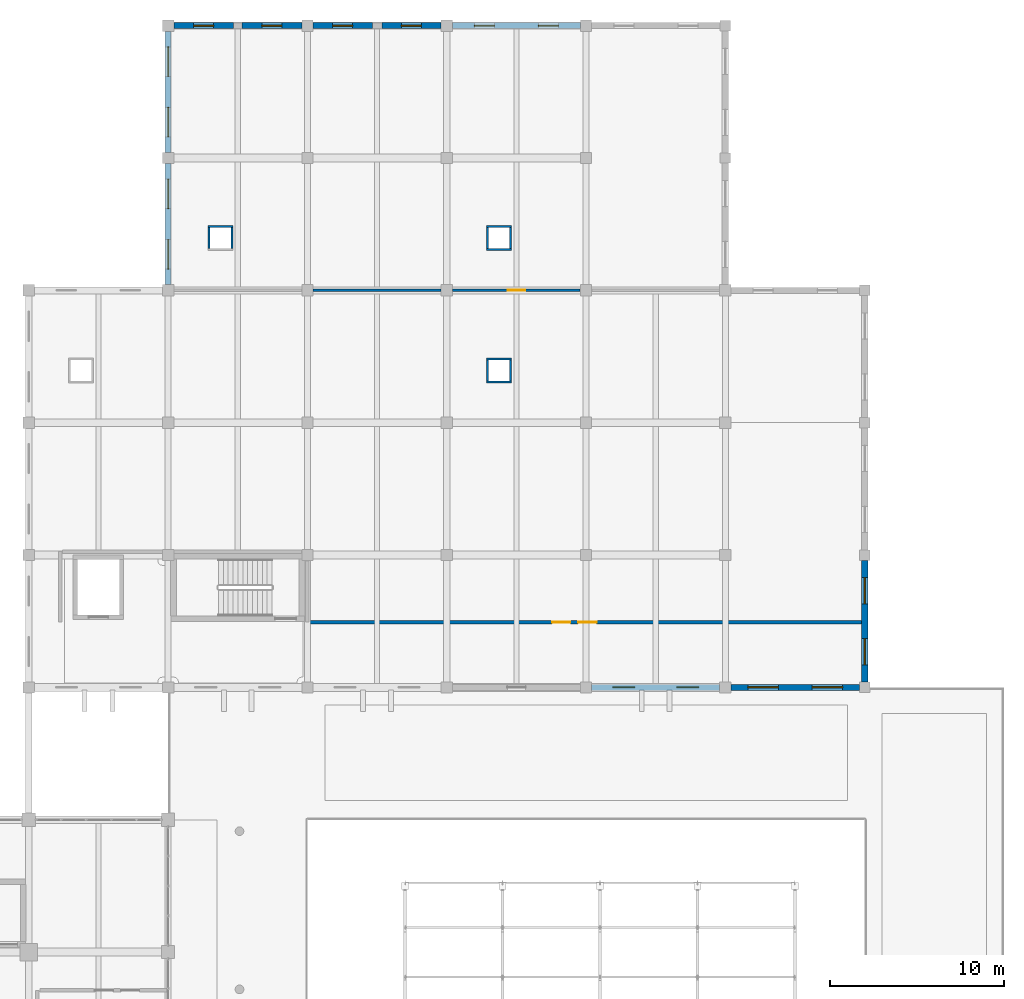
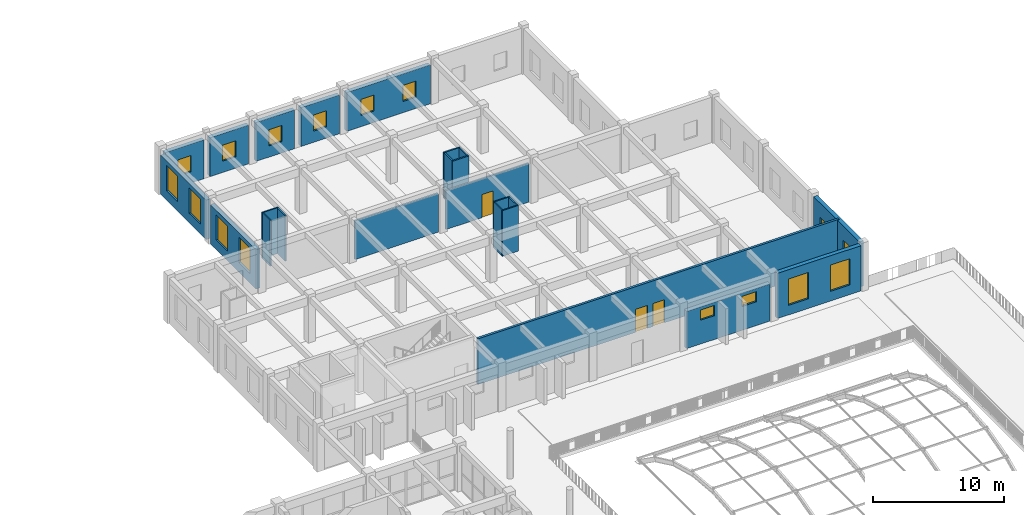
# One storey, part 61 of 79: 24 walls, 16 windows, 3 doors, 19 openings.
"""IFC4 building model written with IfcOpenShell, lengths in metres."""

from ifc_helpers import new_model, si_unit, direction, frame, frame_2d, origin, place, context, subcontext, project, spatial, rectangle, extrude, material, layer, layer_set, type_object, element, fill, save


model = new_model("IFC4")

# Units and contexts
model_context = context("Model", 3, precision=1e-05, world=origin(), true_north=direction((0.0, 1.0)))
body_context = subcontext(model_context, "Body", "Model", "MODEL_VIEW")
ifc_project = project(units=[si_unit("LENGTHUNIT", "METRE"), si_unit("AREAUNIT", "SQUARE_METRE"), si_unit("VOLUMEUNIT", "CUBIC_METRE"), si_unit("PLANEANGLEUNIT", "RADIAN"), si_unit("MASSUNIT", "GRAM", prefix="KILO")], contexts=[model_context])

# Site, building, storey
site_placement = place(None, origin())
site = spatial("IfcSite", under=ifc_project, at=site_placement, CompositionType="ELEMENT")
building_placement = place(site_placement, origin())
building = spatial("IfcBuilding", under=site, at=building_placement, Name="Zantavel Square City Hall", CompositionType="ELEMENT")
storey_placement = place(building_placement, frame((0.0, 0.0, 10.199951171875)))
storey = spatial("IfcBuildingStorey", under=building, at=storey_placement, Name="L03", CompositionType="ELEMENT", Elevation=10.199951171875)

# Wall, openings, windows
ifc_material_1 = material(Name="Cantera volcanic tuff stone", Category="masonry")
ifc_layer_1 = layer(ifc_material_1, 0.360107421875, Name="Cantera volcanic tuff stone")
ifc_layer_set_1 = layer_set([ifc_layer_1], Name="Cantera volcanic tuff stone")
wall_type_1 = type_object("IfcWallType", Name="Courtyard Cantera Facade Wall 360mm", PredefinedType="STANDARD", material=ifc_layer_set_1)
wall_1_placement = place(storey_placement, frame((112.0, 99.125, 0.0), z_axis=(0.0, 0.0, 1.0), x_axis=(0.0, 1.0, 0.0)))
wall_1 = element("IfcWall", 1, at=wall_1_placement, inside=storey, type_object=wall_type_1, Name="L03 Exterior Wall EW-L03-083", PredefinedType="STANDARD", context=body_context, shape_type="SweptSolid", body=[
    extrude(rectangle(XDim=6.949951171875, YDim=0.360107421875, at=frame_2d((3.47509765625, 0.0))), origin(), (0.0, 0.0, 1.0), 3.670166015625),
])
opening_1_placement = place(wall_1_placement, frame((0.887451171875, 0.0, 0.89990234375)))
opening_1 = element("IfcOpeningElement", 2, at=opening_1_placement, cuts=wall_1, Name="Opening W-386", PredefinedType="OPENING", context=body_context, shape_type="SweptSolid", body=[
    extrude(rectangle(XDim=1.699951171875, YDim=2.35009765625, at=frame_2d((0.85009765625, 1.175048828125))), frame((0.0, 0.18994140625, 0.0), z_axis=(0.0, -1.0, 0.0), x_axis=(1.0, 0.0, 0.0)), (0.0, 0.0, 1.0), 0.380126953125),
])
opening_2_placement = place(wall_1_placement, frame((4.362548828125, 0.0, 0.89990234375)))
opening_2 = element("IfcOpeningElement", 3, at=opening_2_placement, cuts=wall_1, Name="Opening W-387", PredefinedType="OPENING", context=body_context, shape_type="SweptSolid", body=[
    extrude(rectangle(XDim=1.699951171875, YDim=2.35009765625, at=frame_2d((0.85009765625, 1.175048828125))), frame((0.0, 0.18994140625, 0.0), z_axis=(0.0, -1.0, 0.0), x_axis=(1.0, 0.0, 0.0)), (0.0, 0.0, 1.0), 0.380126953125),
])
ifc_material_2 = material(Name="Tempered safety glass low-E double glazing", Category="glass")
window_type_1 = type_object("IfcWindowType", Name="Window Library Reading Tall 1700x2350", PartitioningType="DOUBLE_PANEL_VERTICAL", PredefinedType="WINDOW", material=ifc_material_2)
window_1_placement = place(opening_1_placement, origin())
window_1 = element("IfcWindow", 4, at=window_1_placement, inside=storey, type_object=window_type_1, Name="L03 Window W-386", OverallHeight=2.35009765625, OverallWidth=1.699951171875, PartitioningType="DOUBLE_PANEL_VERTICAL", PredefinedType="WINDOW", context=body_context, shape_type="SweptSolid", body=[
    extrude(rectangle(XDim=1.699951171875, YDim=2.35009765625, at=frame_2d((0.85009765625, 1.175048828125))), frame((0.0, 0.030029296875, 0.0), z_axis=(0.0, -1.0, 0.0), x_axis=(1.0, 0.0, 0.0)), (0.0, 0.0, 1.0), 0.06005859375),
])
fill(opening_1, window_1)
window_2_placement = place(opening_2_placement, origin())
window_2 = element("IfcWindow", 5, at=window_2_placement, inside=storey, type_object=window_type_1, Name="L03 Window W-387", OverallHeight=2.35009765625, OverallWidth=1.699951171875, PartitioningType="DOUBLE_PANEL_VERTICAL", PredefinedType="WINDOW", context=body_context, shape_type="SweptSolid", body=[
    extrude(rectangle(XDim=1.699951171875, YDim=2.35009765625, at=frame_2d((0.85009765625, 1.175048828125))), frame((0.0, 0.030029296875, 0.0), z_axis=(0.0, -1.0, 0.0), x_axis=(1.0, 0.0, 0.0)), (0.0, 0.0, 1.0), 0.06005859375),
])
fill(opening_2, window_2)

wall_2_placement = place(storey_placement, frame((112.0, 106.72509765625, 0.0), z_axis=(0.0, 0.0, 1.0), x_axis=(0.0, 1.0, 0.0)))
wall_2 = element("IfcWall", 6, at=wall_2_placement, inside=storey, type_object=wall_type_1, Name="L03 Exterior Wall EW-L03-084", PredefinedType="STANDARD", context=body_context, shape_type="SweptSolid", body=[
    extrude(rectangle(XDim=6.949951171875, YDim=0.360107421875, at=frame_2d((3.47509765625, 0.0))), origin(), (0.0, 0.0, 1.0), 3.670166015625),
])
opening_3_placement = place(wall_2_placement, frame((0.887451171875, 0.0, 0.89990234375)))
opening_3 = element("IfcOpeningElement", 7, at=opening_3_placement, cuts=wall_2, Name="Opening W-388", PredefinedType="OPENING", context=body_context, shape_type="SweptSolid", body=[
    extrude(rectangle(XDim=1.699951171875, YDim=2.35009765625, at=frame_2d((0.85009765625, 1.175048828125))), frame((0.0, 0.18994140625, 0.0), z_axis=(0.0, -1.0, 0.0), x_axis=(1.0, 0.0, 0.0)), (0.0, 0.0, 1.0), 0.380126953125),
])
opening_4_placement = place(wall_2_placement, frame((4.362548828125, 0.0, 0.89990234375)))
opening_4 = element("IfcOpeningElement", 8, at=opening_4_placement, cuts=wall_2, Name="Opening W-389", PredefinedType="OPENING", context=body_context, shape_type="SweptSolid", body=[
    extrude(rectangle(XDim=1.699951171875, YDim=2.35009765625, at=frame_2d((0.85009765625, 1.175048828125))), frame((0.0, 0.18994140625, 0.0), z_axis=(0.0, -1.0, 0.0), x_axis=(1.0, 0.0, 0.0)), (0.0, 0.0, 1.0), 0.380126953125),
])
window_3_placement = place(opening_3_placement, origin())
window_3 = element("IfcWindow", 9, at=window_3_placement, inside=storey, type_object=window_type_1, Name="L03 Window W-388", OverallHeight=2.35009765625, OverallWidth=1.699951171875, PartitioningType="DOUBLE_PANEL_VERTICAL", PredefinedType="WINDOW", context=body_context, shape_type="SweptSolid", body=[
    extrude(rectangle(XDim=1.699951171875, YDim=2.35009765625, at=frame_2d((0.85009765625, 1.175048828125))), frame((0.0, 0.030029296875, 0.0), z_axis=(0.0, -1.0, 0.0), x_axis=(1.0, 0.0, 0.0)), (0.0, 0.0, 1.0), 0.06005859375),
])
fill(opening_3, window_3)
window_4_placement = place(opening_4_placement, origin())
window_4 = element("IfcWindow", 10, at=window_4_placement, inside=storey, type_object=window_type_1, Name="L03 Window W-389", OverallHeight=2.35009765625, OverallWidth=1.699951171875, PartitioningType="DOUBLE_PANEL_VERTICAL", PredefinedType="WINDOW", context=body_context, shape_type="SweptSolid", body=[
    extrude(rectangle(XDim=1.699951171875, YDim=2.35009765625, at=frame_2d((0.85009765625, 1.175048828125))), frame((0.0, 0.030029296875, 0.0), z_axis=(0.0, -1.0, 0.0), x_axis=(1.0, 0.0, 0.0)), (0.0, 0.0, 1.0), 0.06005859375),
])
fill(opening_4, window_4)

wall_3_placement = place(storey_placement, frame((152.0, 83.300048828125, 0.0), z_axis=(0.0, 0.0, 1.0), x_axis=(0.0, -1.0, 0.0)))
wall_3 = element("IfcWall", 11, at=wall_3_placement, inside=storey, type_object=wall_type_1, Name="L03 Exterior Wall EW-L03-096", PredefinedType="STANDARD", context=body_context, shape_type="SweptSolid", body=[
    extrude(rectangle(XDim=7.0, YDim=0.360107421875, at=frame_2d((3.5, 0.0))), origin(), (0.0, 0.0, 1.0), 4.219970703125),
])
opening_5_placement = place(wall_3_placement, frame((1.0, 0.0, 0.89990234375)))
opening_5 = element("IfcOpeningElement", 12, at=opening_5_placement, cuts=wall_3, Name="Opening W-408", PredefinedType="OPENING", context=body_context, shape_type="SweptSolid", body=[
    extrude(rectangle(XDim=1.5, YDim=2.0, at=frame_2d((0.75, 1.0))), frame((0.0, 0.18994140625, 0.0), z_axis=(0.0, -1.0, 0.0), x_axis=(1.0, 0.0, 0.0)), (0.0, 0.0, 1.0), 0.380126953125),
])
opening_6_placement = place(wall_3_placement, frame((4.5, 0.0, 0.89990234375)))
opening_6 = element("IfcOpeningElement", 13, at=opening_6_placement, cuts=wall_3, Name="Opening W-409", PredefinedType="OPENING", context=body_context, shape_type="SweptSolid", body=[
    extrude(rectangle(XDim=1.5, YDim=2.0, at=frame_2d((0.75, 1.0))), frame((0.0, 0.18994140625, 0.0), z_axis=(0.0, -1.0, 0.0), x_axis=(1.0, 0.0, 0.0)), (0.0, 0.0, 1.0), 0.380126953125),
])
window_type_2 = type_object("IfcWindowType", Name="Window Planning Studio 1500x2000", PartitioningType="DOUBLE_PANEL_VERTICAL", PredefinedType="WINDOW", material=ifc_material_2)
window_5_placement = place(opening_5_placement, origin())
window_5 = element("IfcWindow", 14, at=window_5_placement, inside=storey, type_object=window_type_2, Name="L03 Window W-408", OverallHeight=2.0, OverallWidth=1.5, PartitioningType="DOUBLE_PANEL_VERTICAL", PredefinedType="WINDOW", context=body_context, shape_type="SweptSolid", body=[
    extrude(rectangle(XDim=1.5, YDim=2.0, at=frame_2d((0.75, 1.0))), frame((0.0, 0.030029296875, 0.0), z_axis=(0.0, -1.0, 0.0), x_axis=(1.0, 0.0, 0.0)), (0.0, 0.0, 1.0), 0.06005859375),
])
fill(opening_5, window_5)
window_6_placement = place(opening_6_placement, origin())
window_6 = element("IfcWindow", 15, at=window_6_placement, inside=storey, type_object=window_type_2, Name="L03 Window W-409", OverallHeight=2.0, OverallWidth=1.5, PartitioningType="DOUBLE_PANEL_VERTICAL", PredefinedType="WINDOW", context=body_context, shape_type="SweptSolid", body=[
    extrude(rectangle(XDim=1.5, YDim=2.0, at=frame_2d((0.75, 1.0))), frame((0.0, 0.030029296875, 0.0), z_axis=(0.0, -1.0, 0.0), x_axis=(1.0, 0.0, 0.0)), (0.0, 0.0, 1.0), 0.06005859375),
])
fill(opening_6, window_6)

wall_4_placement = place(storey_placement, frame((151.699951171875, 76.0, 0.0), z_axis=(0.0, 0.0, 1.0), x_axis=(-1.0, 0.0, 0.0)))
wall_4 = element("IfcWall", 16, at=wall_4_placement, inside=storey, type_object=wall_type_1, Name="L03 Exterior Wall EW-L03-097", PredefinedType="STANDARD", context=body_context, shape_type="SweptSolid", body=[
    extrude(rectangle(XDim=7.375, YDim=0.360107421875, at=frame_2d((3.6875, 0.0))), origin(), (0.0, 0.0, 1.0), 4.219970703125),
])
opening_7_placement = place(wall_4_placement, frame((0.96875, 0.0, 0.89990234375)))
opening_7 = element("IfcOpeningElement", 17, at=opening_7_placement, cuts=wall_4, Name="Opening W-410", PredefinedType="OPENING", context=body_context, shape_type="SweptSolid", body=[
    extrude(rectangle(XDim=1.75, YDim=2.449951171875, at=frame_2d((0.875, 1.22509765625))), frame((0.0, 0.18994140625, 0.0), z_axis=(0.0, -1.0, 0.0), x_axis=(1.0, 0.0, 0.0)), (0.0, 0.0, 1.0), 0.380126953125),
])
opening_8_placement = place(wall_4_placement, frame((4.65625, 0.0, 0.89990234375)))
opening_8 = element("IfcOpeningElement", 18, at=opening_8_placement, cuts=wall_4, Name="Opening W-411", PredefinedType="OPENING", context=body_context, shape_type="SweptSolid", body=[
    extrude(rectangle(XDim=1.75, YDim=2.449951171875, at=frame_2d((0.875, 1.22509765625))), frame((0.0, 0.18994140625, 0.0), z_axis=(0.0, -1.0, 0.0), x_axis=(1.0, 0.0, 0.0)), (0.0, 0.0, 1.0), 0.380126953125),
])
window_type_3 = type_object("IfcWindowType", Name="Window Piano Nobile Pediment 1750x2450", PartitioningType="DOUBLE_PANEL_VERTICAL", PredefinedType="WINDOW", material=ifc_material_2)
window_7_placement = place(opening_7_placement, origin())
window_7 = element("IfcWindow", 19, at=window_7_placement, inside=storey, type_object=window_type_3, Name="L03 Window W-410", OverallHeight=2.449951171875, OverallWidth=1.75, PartitioningType="DOUBLE_PANEL_VERTICAL", PredefinedType="WINDOW", context=body_context, shape_type="SweptSolid", body=[
    extrude(rectangle(XDim=1.75, YDim=2.449951171875, at=frame_2d((0.875, 1.22509765625))), frame((0.0, 0.030029296875, 0.0), z_axis=(0.0, -1.0, 0.0), x_axis=(1.0, 0.0, 0.0)), (0.0, 0.0, 1.0), 0.06005859375),
])
fill(opening_7, window_7)
window_8_placement = place(opening_8_placement, origin())
window_8 = element("IfcWindow", 20, at=window_8_placement, inside=storey, type_object=window_type_3, Name="L03 Window W-411", OverallHeight=2.449951171875, OverallWidth=1.75, PartitioningType="DOUBLE_PANEL_VERTICAL", PredefinedType="WINDOW", context=body_context, shape_type="SweptSolid", body=[
    extrude(rectangle(XDim=1.75, YDim=2.449951171875, at=frame_2d((0.875, 1.22509765625))), frame((0.0, 0.030029296875, 0.0), z_axis=(0.0, -1.0, 0.0), x_axis=(1.0, 0.0, 0.0)), (0.0, 0.0, 1.0), 0.06005859375),
])
fill(opening_8, window_8)

wall_5_placement = place(storey_placement, frame((143.675048828125, 76.0, 0.0), z_axis=(0.0, 0.0, 1.0), x_axis=(-1.0, 0.0, 0.0)))
wall_5 = element("IfcWall", 21, at=wall_5_placement, inside=storey, type_object=wall_type_1, Name="L03 Exterior Wall EW-L03-098", PredefinedType="STANDARD", context=body_context, shape_type="SweptSolid", body=[
    extrude(rectangle(XDim=7.35009765625, YDim=0.360107421875, at=frame_2d((3.675048828125, 0.0))), origin(), (0.0, 0.0, 1.0), 3.469970703125),
])
opening_9_placement = place(wall_5_placement, frame((1.21240234375, 0.0, 2.219970703125)))
opening_9 = element("IfcOpeningElement", 22, at=opening_9_placement, cuts=wall_5, Name="Opening W-412", PredefinedType="OPENING", context=body_context, shape_type="SweptSolid", body=[
    extrude(rectangle(XDim=1.25, YDim=0.949951171875, at=frame_2d((0.625, 0.47509765625))), frame((0.0, 0.18994140625, 0.0), z_axis=(0.0, -1.0, 0.0), x_axis=(1.0, 0.0, 0.0)), (0.0, 0.0, 1.0), 0.380126953125),
])
opening_10_placement = place(wall_5_placement, frame((4.887451171875, 0.0, 2.219970703125)))
opening_10 = element("IfcOpeningElement", 23, at=opening_10_placement, cuts=wall_5, Name="Opening W-413", PredefinedType="OPENING", context=body_context, shape_type="SweptSolid", body=[
    extrude(rectangle(XDim=1.25, YDim=0.949951171875, at=frame_2d((0.625, 0.47509765625))), frame((0.0, 0.18994140625, 0.0), z_axis=(0.0, -1.0, 0.0), x_axis=(1.0, 0.0, 0.0)), (0.0, 0.0, 1.0), 0.380126953125),
])
window_type_4 = type_object("IfcWindowType", Name="Window Archive High Clerestory 1250x950", PartitioningType="SINGLE_PANEL", PredefinedType="WINDOW", material=ifc_material_2)
window_9_placement = place(opening_9_placement, origin())
window_9 = element("IfcWindow", 24, at=window_9_placement, inside=storey, type_object=window_type_4, Name="L03 Window W-412", OverallHeight=0.949951171875, OverallWidth=1.25, PartitioningType="SINGLE_PANEL", PredefinedType="WINDOW", context=body_context, shape_type="SweptSolid", body=[
    extrude(rectangle(XDim=1.25, YDim=0.949951171875, at=frame_2d((0.625, 0.47509765625))), frame((0.0, 0.030029296875, 0.0), z_axis=(0.0, -1.0, 0.0), x_axis=(1.0, 0.0, 0.0)), (0.0, 0.0, 1.0), 0.06005859375),
])
fill(opening_9, window_9)
window_10_placement = place(opening_10_placement, origin())
window_10 = element("IfcWindow", 25, at=window_10_placement, inside=storey, type_object=window_type_4, Name="L03 Window W-413", OverallHeight=0.949951171875, OverallWidth=1.25, PartitioningType="SINGLE_PANEL", PredefinedType="WINDOW", context=body_context, shape_type="SweptSolid", body=[
    extrude(rectangle(XDim=1.25, YDim=0.949951171875, at=frame_2d((0.625, 0.47509765625))), frame((0.0, 0.030029296875, 0.0), z_axis=(0.0, -1.0, 0.0), x_axis=(1.0, 0.0, 0.0)), (0.0, 0.0, 1.0), 0.06005859375),
])
fill(opening_10, window_10)

# Wall
ifc_material_3 = material(Name="Gypsum acoustic stud assembly", Category="masonry")
ifc_layer_2 = layer(ifc_material_3, 0.14990234375, Name="Gypsum acoustic stud assembly")
ifc_layer_set_2 = layer_set([ifc_layer_2], Name="Gypsum acoustic stud assembly")
wall_type_2 = type_object("IfcWallType", Name="Department Office Partition 150mm", PredefinedType="PARTITIONING", material=ifc_layer_set_2)
wall_6_placement = place(storey_placement, frame((120.3349609375, 98.800048828125, 0.0), z_axis=(0.0, 0.0, 1.0), x_axis=(1.0, 0.0, 0.0)))
element("IfcWall", 26, at=wall_6_placement, inside=storey, type_object=wall_type_2, Name="L03 Interior Wall IW-L03-0280", PredefinedType="PARTITIONING", context=body_context, shape_type="SweptSolid", body=[
    extrude(rectangle(XDim=7.330078125, YDim=0.14990234375, at=frame_2d((3.6650390625, 0.0))), origin(), (0.0, 0.0, 1.0), 3.6201171875),
])

# Wall, opening, door
wall_7_placement = place(storey_placement, frame((128.3349609375, 98.800048828125, 0.0), z_axis=(0.0, 0.0, 1.0), x_axis=(1.0, 0.0, 0.0)))
wall_7 = element("IfcWall", 27, at=wall_7_placement, inside=storey, type_object=wall_type_2, Name="L03 Interior Wall IW-L03-0281", PredefinedType="PARTITIONING", context=body_context, shape_type="SweptSolid", body=[
    extrude(rectangle(XDim=7.330078125, YDim=0.14990234375, at=frame_2d((3.6650390625, 0.0))), origin(), (0.0, 0.0, 1.0), 3.6201171875),
])
opening_11_placement = place(wall_7_placement, frame((3.1650390625, 0.0, 0.0)))
opening_11 = element("IfcOpeningElement", 28, at=opening_11_placement, cuts=wall_7, Name="Opening D-0141", PredefinedType="OPENING", context=body_context, shape_type="SweptSolid", body=[
    extrude(rectangle(XDim=1.0, YDim=2.14990234375, at=frame_2d((0.5, 1.074951171875))), frame((0.0, 0.0849609375, 0.0), z_axis=(0.0, -1.0, 0.0), x_axis=(1.0, 0.0, 0.0)), (0.0, 0.0, 1.0), 0.169921875),
])
ifc_material_4 = material(Name="Solid oak hardwood", Category="wood")
door_type_1 = type_object("IfcDoorType", Name="Suite Internal Oak Single Door 1000x2150", OperationType="NOTDEFINED", PredefinedType="DOOR", material=ifc_material_4)
door_1_placement = place(opening_11_placement, origin())
door_1 = element("IfcDoor", 29, at=door_1_placement, inside=storey, type_object=door_type_1, Name="L03 Public Works Engineering Office Door", OperationType="SINGLE_SWING_LEFT", OverallHeight=2.14990234375, OverallWidth=1.0, PredefinedType="DOOR", context=body_context, shape_type="SweptSolid", body=[
    extrude(rectangle(XDim=1.0, YDim=2.14990234375, at=frame_2d((0.5, 1.074951171875))), frame((0.0, 0.02490234375, 0.0), z_axis=(0.0, -1.0, 0.0), x_axis=(1.0, 0.0, 0.0)), (0.0, 0.0, 1.0), 0.050048828125),
])
fill(opening_11, door_1)

# Wall, openings, doors
ifc_layer_3 = layer(ifc_material_1, 0.199951171875, Name="Cantera volcanic tuff stone")
ifc_layer_set_3 = layer_set([ifc_layer_3], Name="Cantera volcanic tuff stone")
wall_type_3 = type_object("IfcWallType", Name="Exit Corridor Rated Wall 200mm", PredefinedType="STANDARD", material=ifc_layer_set_3)
wall_8_placement = place(storey_placement, frame((152.0, 79.75, 0.0), z_axis=(0.0, 0.0, 1.0), x_axis=(-1.0, 0.0, 0.0)))
wall_8 = element("IfcWall", 30, at=wall_8_placement, inside=storey, type_object=wall_type_3, Name="L03 Interior Wall IW-L03-0283", PredefinedType="STANDARD", context=body_context, shape_type="SweptSolid", body=[
    extrude(rectangle(XDim=31.85009765625, YDim=0.199951171875, at=frame_2d((15.925048828125, 0.0))), origin(), (0.0, 0.0, 1.0), 4.260009765625),
])
opening_12_placement = place(wall_8_placement, frame((15.39990234375, 0.0, 0.0)))
opening_12 = element("IfcOpeningElement", 31, at=opening_12_placement, cuts=wall_8, Name="Opening D-0128", PredefinedType="OPENING", context=body_context, shape_type="SweptSolid", body=[
    extrude(rectangle(XDim=1.050048828125, YDim=2.14990234375, at=frame_2d((0.52490234375, 1.074951171875))), frame((0.0, 0.10986328125, 0.0), z_axis=(0.0, -1.0, 0.0), x_axis=(1.0, 0.0, 0.0)), (0.0, 0.0, 1.0), 0.219970703125),
])
opening_13_placement = place(wall_8_placement, frame((16.89990234375, 0.0, 0.0)))
opening_13 = element("IfcOpeningElement", 32, at=opening_13_placement, cuts=wall_8, Name="Opening D-0142", PredefinedType="OPENING", context=body_context, shape_type="SweptSolid", body=[
    extrude(rectangle(XDim=1.050048828125, YDim=2.14990234375, at=frame_2d((0.52490234375, 1.074951171875))), frame((0.0, 0.10986328125, 0.0), z_axis=(0.0, -1.0, 0.0), x_axis=(1.0, 0.0, 0.0)), (0.0, 0.0, 1.0), 0.219970703125),
])
door_type_2 = type_object("IfcDoorType", Name="Corridor Office Oak Fire Door 1050x2150 FD60S", OperationType="NOTDEFINED", PredefinedType="DOOR", material=ifc_material_4)
door_2_placement = place(opening_12_placement, origin())
door_2 = element("IfcDoor", 33, at=door_2_placement, inside=storey, type_object=door_type_2, Name="L03 Urban Planning Studio Door", OperationType="SINGLE_SWING_RIGHT", OverallHeight=2.14990234375, OverallWidth=1.050048828125, PredefinedType="DOOR", context=body_context, shape_type="SweptSolid", body=[
    extrude(rectangle(XDim=1.050048828125, YDim=2.14990234375, at=frame_2d((0.52490234375, 1.074951171875))), frame((0.0, 0.02490234375, 0.0), z_axis=(0.0, -1.0, 0.0), x_axis=(1.0, 0.0, 0.0)), (0.0, 0.0, 1.0), 0.050048828125),
])
fill(opening_12, door_2)
door_3_placement = place(opening_13_placement, origin())
door_3 = element("IfcDoor", 34, at=door_3_placement, inside=storey, type_object=door_type_2, Name="L03 Urban Planning Studio Door", OperationType="SINGLE_SWING_RIGHT", OverallHeight=2.14990234375, OverallWidth=1.050048828125, PredefinedType="DOOR", context=body_context, shape_type="SweptSolid", body=[
    extrude(rectangle(XDim=1.050048828125, YDim=2.14990234375, at=frame_2d((0.52490234375, 1.074951171875))), frame((0.0, 0.02490234375, 0.0), z_axis=(0.0, -1.0, 0.0), x_axis=(1.0, 0.0, 0.0)), (0.0, 0.0, 1.0), 0.050048828125),
])
fill(opening_13, door_3)

# Wall, opening, window
ifc_layer_4 = layer(ifc_material_1, 0.340087890625, Name="Cantera volcanic tuff stone")
ifc_layer_set_4 = layer_set([ifc_layer_4], Name="Cantera volcanic tuff stone")
wall_type_4 = type_object("IfcWallType", Name="North Insulated Cantera Wall 340mm", PredefinedType="STANDARD", material=ifc_layer_set_4)
wall_9_placement = place(storey_placement, frame((112.324951171875, 114.0, 0.0), z_axis=(0.0, 0.0, 1.0), x_axis=(1.0, 0.0, 0.0)))
wall_9 = element("IfcWall", 35, at=wall_9_placement, inside=storey, type_object=wall_type_4, Name="L03 Exterior Wall EW-L03-085", PredefinedType="STANDARD", context=body_context, shape_type="SweptSolid", body=[
    extrude(rectangle(XDim=3.425048828125, YDim=0.340087890625, at=frame_2d((1.71240234375, 0.0))), origin(), (0.0, 0.0, 1.0), 3.6201171875),
])
opening_14_placement = place(wall_9_placement, frame((1.137451171875, 0.0, 1.050048828125)))
opening_14 = element("IfcOpeningElement", 36, at=opening_14_placement, cuts=wall_9, Name="Opening W-390", PredefinedType="OPENING", context=body_context, shape_type="SweptSolid", body=[
    extrude(rectangle(XDim=1.14990234375, YDim=1.5, at=frame_2d((0.574951171875, 0.75))), frame((0.0, 0.179931640625, 0.0), z_axis=(0.0, -1.0, 0.0), x_axis=(1.0, 0.0, 0.0)), (0.0, 0.0, 1.0), 0.360107421875),
])
window_type_5 = type_object("IfcWindowType", Name="Window Piano Nobile North 1150x1500", PartitioningType="SINGLE_PANEL", PredefinedType="WINDOW", material=ifc_material_2)
window_11_placement = place(opening_14_placement, origin())
window_11 = element("IfcWindow", 37, at=window_11_placement, inside=storey, type_object=window_type_5, Name="L03 Window W-390", OverallHeight=1.5, OverallWidth=1.14990234375, PartitioningType="SINGLE_PANEL", PredefinedType="WINDOW", context=body_context, shape_type="SweptSolid", body=[
    extrude(rectangle(XDim=1.14990234375, YDim=1.5, at=frame_2d((0.574951171875, 0.75))), frame((0.0, 0.030029296875, 0.0), z_axis=(0.0, -1.0, 0.0), x_axis=(1.0, 0.0, 0.0)), (0.0, 0.0, 1.0), 0.06005859375),
])
fill(opening_14, window_11)

wall_10_placement = place(storey_placement, frame((116.25, 114.0, 0.0), z_axis=(0.0, 0.0, 1.0), x_axis=(1.0, 0.0, 0.0)))
wall_10 = element("IfcWall", 38, at=wall_10_placement, inside=storey, type_object=wall_type_4, Name="L03 Exterior Wall EW-L03-086", PredefinedType="STANDARD", context=body_context, shape_type="SweptSolid", body=[
    extrude(rectangle(XDim=3.425048828125, YDim=0.340087890625, at=frame_2d((1.71240234375, 0.0))), origin(), (0.0, 0.0, 1.0), 3.6201171875),
])
opening_15_placement = place(wall_10_placement, frame((1.137451171875, 0.0, 1.050048828125)))
opening_15 = element("IfcOpeningElement", 39, at=opening_15_placement, cuts=wall_10, Name="Opening W-391", PredefinedType="OPENING", context=body_context, shape_type="SweptSolid", body=[
    extrude(rectangle(XDim=1.14990234375, YDim=1.5, at=frame_2d((0.574951171875, 0.75))), frame((0.0, 0.179931640625, 0.0), z_axis=(0.0, -1.0, 0.0), x_axis=(1.0, 0.0, 0.0)), (0.0, 0.0, 1.0), 0.360107421875),
])
window_12_placement = place(opening_15_placement, origin())
window_12 = element("IfcWindow", 40, at=window_12_placement, inside=storey, type_object=window_type_5, Name="L03 Window W-391", OverallHeight=1.5, OverallWidth=1.14990234375, PartitioningType="SINGLE_PANEL", PredefinedType="WINDOW", context=body_context, shape_type="SweptSolid", body=[
    extrude(rectangle(XDim=1.14990234375, YDim=1.5, at=frame_2d((0.574951171875, 0.75))), frame((0.0, 0.030029296875, 0.0), z_axis=(0.0, -1.0, 0.0), x_axis=(1.0, 0.0, 0.0)), (0.0, 0.0, 1.0), 0.06005859375),
])
fill(opening_15, window_12)

wall_11_placement = place(storey_placement, frame((120.324951171875, 114.0, 0.0), z_axis=(0.0, 0.0, 1.0), x_axis=(1.0, 0.0, 0.0)))
wall_11 = element("IfcWall", 41, at=wall_11_placement, inside=storey, type_object=wall_type_4, Name="L03 Exterior Wall EW-L03-087", PredefinedType="STANDARD", context=body_context, shape_type="SweptSolid", body=[
    extrude(rectangle(XDim=3.400146484375, YDim=0.340087890625, at=frame_2d((1.7001953125, 0.0))), origin(), (0.0, 0.0, 1.0), 3.6201171875),
])
opening_16_placement = place(wall_11_placement, frame((1.125, 0.0, 1.050048828125)))
opening_16 = element("IfcOpeningElement", 42, at=opening_16_placement, cuts=wall_11, Name="Opening W-392", PredefinedType="OPENING", context=body_context, shape_type="SweptSolid", body=[
    extrude(rectangle(XDim=1.14990234375, YDim=1.5, at=frame_2d((0.574951171875, 0.75))), frame((0.0, 0.179931640625, 0.0), z_axis=(0.0, -1.0, 0.0), x_axis=(1.0, 0.0, 0.0)), (0.0, 0.0, 1.0), 0.360107421875),
])
window_13_placement = place(opening_16_placement, origin())
window_13 = element("IfcWindow", 43, at=window_13_placement, inside=storey, type_object=window_type_5, Name="L03 Window W-392", OverallHeight=1.5, OverallWidth=1.14990234375, PartitioningType="SINGLE_PANEL", PredefinedType="WINDOW", context=body_context, shape_type="SweptSolid", body=[
    extrude(rectangle(XDim=1.14990234375, YDim=1.5, at=frame_2d((0.574951171875, 0.75))), frame((0.0, 0.030029296875, 0.0), z_axis=(0.0, -1.0, 0.0), x_axis=(1.0, 0.0, 0.0)), (0.0, 0.0, 1.0), 0.06005859375),
])
fill(opening_16, window_13)

wall_12_placement = place(storey_placement, frame((124.27490234375, 114.0, 0.0), z_axis=(0.0, 0.0, 1.0), x_axis=(1.0, 0.0, 0.0)))
wall_12 = element("IfcWall", 44, at=wall_12_placement, inside=storey, type_object=wall_type_4, Name="L03 Exterior Wall EW-L03-088", PredefinedType="STANDARD", context=body_context, shape_type="SweptSolid", body=[
    extrude(rectangle(XDim=3.400146484375, YDim=0.340087890625, at=frame_2d((1.7001953125, 0.0))), origin(), (0.0, 0.0, 1.0), 3.6201171875),
])
opening_17_placement = place(wall_12_placement, frame((1.125, 0.0, 1.050048828125)))
opening_17 = element("IfcOpeningElement", 45, at=opening_17_placement, cuts=wall_12, Name="Opening W-393", PredefinedType="OPENING", context=body_context, shape_type="SweptSolid", body=[
    extrude(rectangle(XDim=1.14990234375, YDim=1.5, at=frame_2d((0.574951171875, 0.75))), frame((0.0, 0.179931640625, 0.0), z_axis=(0.0, -1.0, 0.0), x_axis=(1.0, 0.0, 0.0)), (0.0, 0.0, 1.0), 0.360107421875),
])
window_14_placement = place(opening_17_placement, origin())
window_14 = element("IfcWindow", 46, at=window_14_placement, inside=storey, type_object=window_type_5, Name="L03 Window W-393", OverallHeight=1.5, OverallWidth=1.14990234375, PartitioningType="SINGLE_PANEL", PredefinedType="WINDOW", context=body_context, shape_type="SweptSolid", body=[
    extrude(rectangle(XDim=1.14990234375, YDim=1.5, at=frame_2d((0.574951171875, 0.75))), frame((0.0, 0.030029296875, 0.0), z_axis=(0.0, -1.0, 0.0), x_axis=(1.0, 0.0, 0.0)), (0.0, 0.0, 1.0), 0.06005859375),
])
fill(opening_17, window_14)

# Wall, openings, windows
wall_13_placement = place(storey_placement, frame((128.324951171875, 114.0, 0.0), z_axis=(0.0, 0.0, 1.0), x_axis=(1.0, 0.0, 0.0)))
wall_13 = element("IfcWall", 47, at=wall_13_placement, inside=storey, type_object=wall_type_4, Name="L03 Exterior Wall EW-L03-089", PredefinedType="STANDARD", context=body_context, shape_type="SweptSolid", body=[
    extrude(rectangle(XDim=7.35009765625, YDim=0.340087890625, at=frame_2d((3.675048828125, 0.0))), origin(), (0.0, 0.0, 1.0), 3.6201171875),
])
opening_18_placement = place(wall_13_placement, frame((1.262451171875, 0.0, 1.050048828125)))
opening_18 = element("IfcOpeningElement", 48, at=opening_18_placement, cuts=wall_13, Name="Opening W-394", PredefinedType="OPENING", context=body_context, shape_type="SweptSolid", body=[
    extrude(rectangle(XDim=1.14990234375, YDim=1.5, at=frame_2d((0.574951171875, 0.75))), frame((0.0, 0.179931640625, 0.0), z_axis=(0.0, -1.0, 0.0), x_axis=(1.0, 0.0, 0.0)), (0.0, 0.0, 1.0), 0.360107421875),
])
opening_19_placement = place(wall_13_placement, frame((4.9375, 0.0, 1.050048828125)))
opening_19 = element("IfcOpeningElement", 49, at=opening_19_placement, cuts=wall_13, Name="Opening W-395", PredefinedType="OPENING", context=body_context, shape_type="SweptSolid", body=[
    extrude(rectangle(XDim=1.14990234375, YDim=1.5, at=frame_2d((0.574951171875, 0.75))), frame((0.0, 0.179931640625, 0.0), z_axis=(0.0, -1.0, 0.0), x_axis=(1.0, 0.0, 0.0)), (0.0, 0.0, 1.0), 0.360107421875),
])
window_15_placement = place(opening_18_placement, origin())
window_15 = element("IfcWindow", 50, at=window_15_placement, inside=storey, type_object=window_type_5, Name="L03 Window W-394", OverallHeight=1.5, OverallWidth=1.14990234375, PartitioningType="SINGLE_PANEL", PredefinedType="WINDOW", context=body_context, shape_type="SweptSolid", body=[
    extrude(rectangle(XDim=1.14990234375, YDim=1.5, at=frame_2d((0.574951171875, 0.75))), frame((0.0, 0.030029296875, 0.0), z_axis=(0.0, -1.0, 0.0), x_axis=(1.0, 0.0, 0.0)), (0.0, 0.0, 1.0), 0.06005859375),
])
fill(opening_18, window_15)
window_16_placement = place(opening_19_placement, origin())
window_16 = element("IfcWindow", 51, at=window_16_placement, inside=storey, type_object=window_type_5, Name="L03 Window W-395", OverallHeight=1.5, OverallWidth=1.14990234375, PartitioningType="SINGLE_PANEL", PredefinedType="WINDOW", context=body_context, shape_type="SweptSolid", body=[
    extrude(rectangle(XDim=1.14990234375, YDim=1.5, at=frame_2d((0.574951171875, 0.75))), frame((0.0, 0.030029296875, 0.0), z_axis=(0.0, -1.0, 0.0), x_axis=(1.0, 0.0, 0.0)), (0.0, 0.0, 1.0), 0.06005859375),
])
fill(opening_19, window_16)

# Walls
ifc_material_5 = material(Name="Concrete C35/45", Category="concrete")
ifc_layer_5 = layer(ifc_material_5, 0.1201171875, Name="Concrete C35/45")
ifc_layer_set_5 = layer_set([ifc_layer_5], Name="Concrete C35/45")
wall_type_5 = type_object("IfcWallType", Name="Riser Chase Wall RC 120mm C35/45", PredefinedType="PARTITIONING", material=ifc_layer_set_5)
wall_14_placement = place(storey_placement, frame((131.719970703125, 93.5400390625, 0.0), z_axis=(0.0, 0.0, 1.0), x_axis=(-1.0, 0.0, 0.0)))
element("IfcWall", 52, at=wall_14_placement, inside=storey, type_object=wall_type_5, Name="L03 MEP Riser 13 Wall S", PredefinedType="PARTITIONING", context=body_context, shape_type="SweptSolid", body=[
    extrude(rectangle(XDim=1.43994140625, YDim=0.1201171875, at=frame_2d((0.719970703125, 0.0))), origin(), (0.0, 0.0, 1.0), 4.260009765625),
])
wall_15_placement = place(storey_placement, frame((130.340087890625, 93.60009765625, 0.0), z_axis=(0.0, 0.0, 1.0), x_axis=(0.0, 1.0, 0.0)))
element("IfcWall", 53, at=wall_15_placement, inside=storey, type_object=wall_type_5, Name="L03 MEP Riser 13 Wall W", PredefinedType="PARTITIONING", context=body_context, shape_type="SweptSolid", body=[
    extrude(rectangle(XDim=1.199951171875, YDim=0.1201171875, at=frame_2d((0.60009765625, 0.0))), origin(), (0.0, 0.0, 1.0), 4.260009765625),
])
wall_16_placement = place(storey_placement, frame((130.280029296875, 94.860107421875, 0.0), z_axis=(0.0, 0.0, 1.0), x_axis=(1.0, 0.0, 0.0)))
element("IfcWall", 54, at=wall_16_placement, inside=storey, type_object=wall_type_5, Name="L03 MEP Riser 13 Wall N", PredefinedType="PARTITIONING", context=body_context, shape_type="SweptSolid", body=[
    extrude(rectangle(XDim=1.43994140625, YDim=0.1201171875, at=frame_2d((0.719970703125, 0.0))), origin(), (0.0, 0.0, 1.0), 4.260009765625),
])
for number, where, z_axis, x_axis, name in (
    (55, (131.659912109375, 94.800048828125, 0.0), (0.0, 0.0, 1.0), (0.0, -1.0, 0.0), "L03 MEP Riser 13 Wall E"),
    (56, (114.340087890625, 101.199951171875, 0.0), (0.0, 0.0, 1.0), (0.0, 1.0, 0.0), "L03 MEP Riser 14 Wall W"),
):
    element("IfcWall", number, at=place(storey_placement, frame(where, z_axis=z_axis, x_axis=x_axis)), inside=storey, type_object=wall_type_5, Name=name, PredefinedType="PARTITIONING", context=body_context, shape_type="SweptSolid", body=[
        extrude(rectangle(XDim=1.199951171875, YDim=0.1201171875, at=frame_2d((0.60009765625, 0.0))), origin(), (0.0, 0.0, 1.0), 4.260009765625),
    ])
wall_17_placement = place(storey_placement, frame((114.280029296875, 102.4599609375, 0.0), z_axis=(0.0, 0.0, 1.0), x_axis=(1.0, 0.0, 0.0)))
element("IfcWall", 57, at=wall_17_placement, inside=storey, type_object=wall_type_5, Name="L03 MEP Riser 14 Wall N", PredefinedType="PARTITIONING", context=body_context, shape_type="SweptSolid", body=[
    extrude(rectangle(XDim=1.43994140625, YDim=0.1201171875, at=frame_2d((0.719970703125, 0.0))), origin(), (0.0, 0.0, 1.0), 4.260009765625),
])
wall_18_placement = place(storey_placement, frame((115.659912109375, 102.39990234375, 0.0), z_axis=(0.0, 0.0, 1.0), x_axis=(0.0, -1.0, 0.0)))
element("IfcWall", 58, at=wall_18_placement, inside=storey, type_object=wall_type_5, Name="L03 MEP Riser 14 Wall E", PredefinedType="PARTITIONING", context=body_context, shape_type="SweptSolid", body=[
    extrude(rectangle(XDim=1.199951171875, YDim=0.1201171875, at=frame_2d((0.60009765625, 0.0))), origin(), (0.0, 0.0, 1.0), 4.260009765625),
])
wall_19_placement = place(storey_placement, frame((131.719970703125, 101.139892578125, 0.0), z_axis=(0.0, 0.0, 1.0), x_axis=(-1.0, 0.0, 0.0)))
element("IfcWall", 59, at=wall_19_placement, inside=storey, type_object=wall_type_5, Name="L03 MEP Riser 15 Wall S", PredefinedType="PARTITIONING", context=body_context, shape_type="SweptSolid", body=[
    extrude(rectangle(XDim=1.43994140625, YDim=0.1201171875, at=frame_2d((0.719970703125, 0.0))), origin(), (0.0, 0.0, 1.0), 4.260009765625),
])
wall_20_placement = place(storey_placement, frame((130.340087890625, 101.199951171875, 0.0), z_axis=(0.0, 0.0, 1.0), x_axis=(0.0, 1.0, 0.0)))
element("IfcWall", 60, at=wall_20_placement, inside=storey, type_object=wall_type_5, Name="L03 MEP Riser 15 Wall W", PredefinedType="PARTITIONING", context=body_context, shape_type="SweptSolid", body=[
    extrude(rectangle(XDim=1.199951171875, YDim=0.1201171875, at=frame_2d((0.60009765625, 0.0))), origin(), (0.0, 0.0, 1.0), 4.260009765625),
])
wall_21_placement = place(storey_placement, frame((130.280029296875, 102.4599609375, 0.0), z_axis=(0.0, 0.0, 1.0), x_axis=(1.0, 0.0, 0.0)))
element("IfcWall", 61, at=wall_21_placement, inside=storey, type_object=wall_type_5, Name="L03 MEP Riser 15 Wall N", PredefinedType="PARTITIONING", context=body_context, shape_type="SweptSolid", body=[
    extrude(rectangle(XDim=1.43994140625, YDim=0.1201171875, at=frame_2d((0.719970703125, 0.0))), origin(), (0.0, 0.0, 1.0), 4.260009765625),
])
wall_22_placement = place(storey_placement, frame((131.659912109375, 102.39990234375, 0.0), z_axis=(0.0, 0.0, 1.0), x_axis=(0.0, -1.0, 0.0)))
element("IfcWall", 62, at=wall_22_placement, inside=storey, type_object=wall_type_5, Name="L03 MEP Riser 15 Wall E", PredefinedType="PARTITIONING", context=body_context, shape_type="SweptSolid", body=[
    extrude(rectangle(XDim=1.199951171875, YDim=0.1201171875, at=frame_2d((0.60009765625, 0.0))), origin(), (0.0, 0.0, 1.0), 4.260009765625),
])

save(model, "model.ifc")
